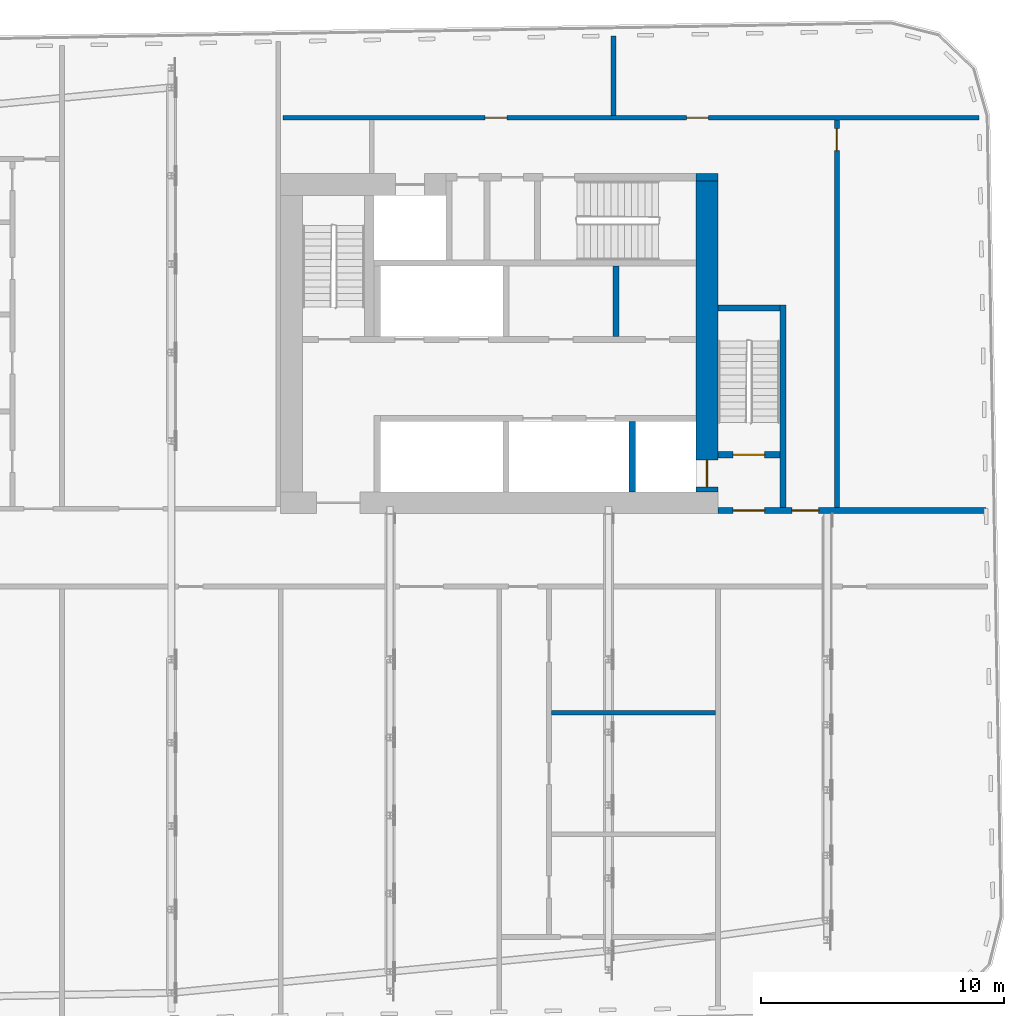
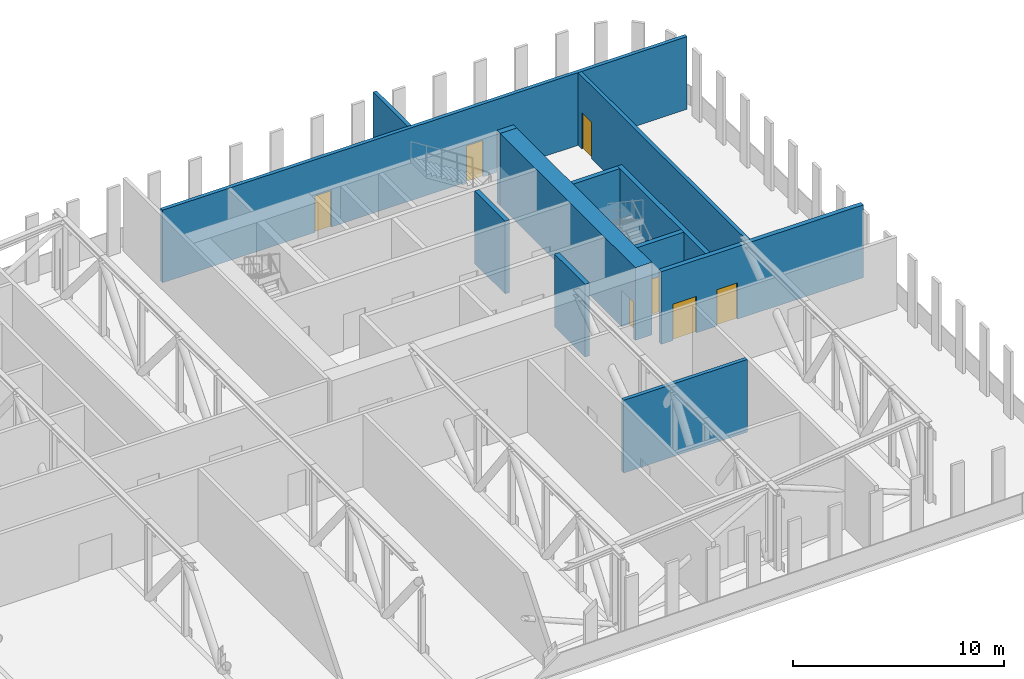
# One storey, part 13 of 26: 12 walls, 7 doors, 7 openings.
"""IFC4 building model written with IfcOpenShell, lengths in metres."""

from ifc_helpers import new_model, si_unit, direction, frame, frame_2d, origin, place, context, subcontext, project, spatial, rectangle, extrude, material, layer, layer_set, type_object, element, fill, save


model = new_model("IFC4")

# Units and contexts
model_context = context("Model", 3, precision=1e-05, world=origin(), true_north=direction((0.0, 1.0)))
body_context = subcontext(model_context, "Body", "Model", "MODEL_VIEW")
ifc_project = project(units=[si_unit("LENGTHUNIT", "METRE"), si_unit("AREAUNIT", "SQUARE_METRE"), si_unit("VOLUMEUNIT", "CUBIC_METRE"), si_unit("PLANEANGLEUNIT", "RADIAN"), si_unit("MASSUNIT", "GRAM", prefix="KILO")], contexts=[model_context])

# Site, building, storey
site_placement = place(None, origin())
site = spatial("IfcSite", under=ifc_project, at=site_placement, CompositionType="ELEMENT")
building_placement = place(site_placement, origin())
building = spatial("IfcBuilding", under=site, at=building_placement, Name="Kajstack Hotel Tower", CompositionType="ELEMENT")
storey_placement = place(building_placement, frame((0.0, 0.0, 257.300048828125)))
storey = spatial("IfcBuildingStorey", under=building, at=storey_placement, Name="L64", CompositionType="ELEMENT", Elevation=257.300048828125)

# Wall
ifc_material_1 = material(Name="Concrete C60/75", Category="concrete")
ifc_layer_1 = layer(ifc_material_1, 0.89990234375)
ifc_layer_set_1 = layer_set([ifc_layer_1], Name="Core wall 900")
wall_type_1 = type_object("IfcWallType", Name="Core wall 900", PredefinedType="SHEAR", material=ifc_layer_set_1)
wall_1_placement = place(storey_placement, frame((30.60009765625, 15.35009765625, 0.0), z_axis=(0.0, 0.0, 1.0), x_axis=(1.0, 0.0, 0.0)))
element("IfcWall", 1, at=wall_1_placement, inside=storey, type_object=wall_type_1, Name="Core wall E RSW", PredefinedType="SHEAR", context=body_context, shape_type="SweptSolid", body=[
    extrude(rectangle(XDim=0.89990234375, YDim=0.300048828125, at=frame_2d((0.449951171875, 0.0))), origin(), (0.0, 0.0, 1.0), 4.199951171875),
])

# Wall, opening, door
wall_2_placement = place(storey_placement, frame((31.050048828125, 2.39990234375, 0.0), z_axis=(0.0, 0.0, 1.0), x_axis=(0.0, 1.0, 0.0)))
wall_2 = element("IfcWall", 2, at=wall_2_placement, inside=storey, type_object=wall_type_1, Name="Core wall E RW", PredefinedType="SHEAR", context=body_context, shape_type="SweptSolid", body=[
    extrude(rectangle(XDim=12.800048828125, YDim=0.89990234375, at=frame_2d((6.39990234375, 0.0))), origin(), (0.0, 0.0, 1.0), 4.199951171875),
])
opening_1_placement = place(wall_2_placement, frame((0.199951171875, 0.0, 0.0)))
opening_1 = element("IfcOpeningElement", 3, at=opening_1_placement, cuts=wall_2, Name="Opening LD-FF2", PredefinedType="OPENING", context=body_context, shape_type="SweptSolid", body=[
    extrude(rectangle(XDim=1.10009765625, YDim=2.10009765625, at=frame_2d((0.550048828125, 1.050048828125))), frame((0.0, 0.4599609375, 0.0), z_axis=(0.0, -1.0, 0.0), x_axis=(1.0, 0.0, 0.0)), (0.0, 0.0, 1.0), 0.919921875),
])
ifc_material_2 = material(Name="Stainless steel", Category="steel")
door_type_1 = type_object("IfcDoorType", Name="Fire-fighting lift landing door 1100", OperationType="SLIDING_TO_LEFT", PredefinedType="DOOR", material=ifc_material_2)
door_1_placement = place(opening_1_placement, origin())
door_1 = element("IfcDoor", 4, at=door_1_placement, inside=storey, type_object=door_type_1, Name="Landing door FF2", OperationType="SLIDING_TO_LEFT", OverallHeight=2.10009765625, OverallWidth=1.10009765625, PredefinedType="DOOR", context=body_context, shape_type="SweptSolid", body=[
    extrude(rectangle(XDim=1.10009765625, YDim=2.10009765625, at=frame_2d((0.550048828125, 1.050048828125))), frame((0.0, 0.02490234375, 0.0), z_axis=(0.0, -1.0, 0.0), x_axis=(1.0, 0.0, 0.0)), (0.0, 0.0, 1.0), 0.050048828125),
])
fill(opening_1, door_1)

# Walls
ifc_material_3 = material(Name="Gypsum board on steel studs, mineral wool", Category="steel")
ifc_layer_2 = layer(ifc_material_3, 0.199951171875)
ifc_layer_set_2 = layer_set([ifc_layer_2], Name="Public partition 200")
wall_type_2 = type_object("IfcWallType", Name="Public partition 200", PredefinedType="PARTITIONING", material=ifc_layer_set_2)
wall_3_placement = place(storey_placement, frame((24.64990234375, -6.699951171875, 0.0), z_axis=(0.0, 0.0, 1.0), x_axis=(1.0, 0.0, 0.0)))
element("IfcWall", 5, at=wall_3_placement, inside=storey, type_object=wall_type_2, Name="Partition SC3wP0", PredefinedType="PARTITIONING", context=body_context, shape_type="SweptSolid", body=[
    extrude(rectangle(XDim=6.75, YDim=0.199951171875, at=frame_2d((3.375, 0.0))), origin(), (0.0, 0.0, 1.0), 4.199951171875),
])
ifc_material_4 = material(Name="Concrete block masonry", Category="masonry")
ifc_layer_3 = layer(ifc_material_4, 0.25)
ifc_layer_set_3 = layer_set([ifc_layer_3], Name="Riser partition 250")
wall_type_3 = type_object("IfcWallType", Name="Riser partition 250", PredefinedType="PARTITIONING", material=ifc_layer_set_3)
wall_4_placement = place(storey_placement, frame((27.300048828125, 8.800048828125, 0.0), z_axis=(0.0, 0.0, 1.0), x_axis=(0.0, 1.0, 0.0)))
element("IfcWall", 6, at=wall_4_placement, inside=storey, type_object=wall_type_3, Name="Partition E BF0", PredefinedType="PARTITIONING", context=body_context, shape_type="SweptSolid", body=[
    extrude(rectangle(XDim=2.89990234375, YDim=0.25, at=frame_2d((1.449951171875, 0.0))), origin(), (0.0, 0.0, 1.0), 4.199951171875),
])

# Wall, openings, doors
ifc_layer_4 = layer(ifc_material_3, 0.199951171875)
ifc_layer_set_4 = layer_set([ifc_layer_4], Name="Service partition 200")
wall_type_4 = type_object("IfcWallType", Name="Service partition 200", PredefinedType="PARTITIONING", material=ifc_layer_set_4)
wall_5_placement = place(storey_placement, frame((31.5, 1.625, 0.0), z_axis=(0.0, 0.0, 1.0), x_axis=(1.0, 0.0, 0.0)))
wall_5 = element("IfcWall", 7, at=wall_5_placement, inside=storey, type_object=wall_type_4, Name="Partition E SN", PredefinedType="PARTITIONING", context=body_context, shape_type="SweptSolid", body=[
    extrude(rectangle(XDim=11.039794921875, YDim=0.25, at=frame_2d((5.52001953125, 0.0))), origin(), (0.0, 0.0, 1.0), 4.199951171875),
])
opening_2_placement = place(wall_5_placement, frame((0.625, 0.0, 0.0)))
opening_2 = element("IfcOpeningElement", 8, at=opening_2_placement, cuts=wall_5, Name="Opening 64E08", PredefinedType="OPENING", context=body_context, shape_type="SweptSolid", body=[
    extrude(rectangle(XDim=1.300048828125, YDim=2.10009765625, at=frame_2d((0.64990234375, 1.050048828125))), frame((0.0, 0.135009765625, 0.0), z_axis=(0.0, -1.0, 0.0), x_axis=(1.0, 0.0, 0.0)), (0.0, 0.0, 1.0), 0.27001953125),
])
opening_3_placement = place(wall_5_placement, frame((3.050048828125, 0.0, 0.0)))
opening_3 = element("IfcOpeningElement", 9, at=opening_3_placement, cuts=wall_5, Name="Opening 64E10", PredefinedType="OPENING", context=body_context, shape_type="SweptSolid", body=[
    extrude(rectangle(XDim=1.10009765625, YDim=2.10009765625, at=frame_2d((0.550048828125, 1.050048828125))), frame((0.0, 0.135009765625, 0.0), z_axis=(0.0, -1.0, 0.0), x_axis=(1.0, 0.0, 0.0)), (0.0, 0.0, 1.0), 0.27001953125),
])
ifc_material_5 = material(Name="Steel leaf, fire-rated", Category="steel")
door_type_2 = type_object("IfcDoorType", Name="Fire lobby door 1300", OperationType="SINGLE_SWING_LEFT", PredefinedType="DOOR", material=ifc_material_5)
door_2_placement = place(opening_2_placement, origin())
door_2 = element("IfcDoor", 10, at=door_2_placement, inside=storey, type_object=door_type_2, Name="Door 64E08", OperationType="SINGLE_SWING_LEFT", OverallHeight=2.10009765625, OverallWidth=1.300048828125, PredefinedType="DOOR", context=body_context, shape_type="SweptSolid", body=[
    extrude(rectangle(XDim=1.300048828125, YDim=2.10009765625, at=frame_2d((0.64990234375, 1.050048828125))), frame((0.0, 0.02490234375, 0.0), z_axis=(0.0, -1.0, 0.0), x_axis=(1.0, 0.0, 0.0)), (0.0, 0.0, 1.0), 0.050048828125),
])
fill(opening_2, door_2)
ifc_material_6 = material(Name="Timber leaf, fire-rated", Category="wood")
door_type_3 = type_object("IfcDoorType", Name="Service corridor door 1100", OperationType="SINGLE_SWING_LEFT", PredefinedType="DOOR", material=ifc_material_6)
door_3_placement = place(opening_3_placement, origin())
door_3 = element("IfcDoor", 11, at=door_3_placement, inside=storey, type_object=door_type_3, Name="Door 64E10", OperationType="SINGLE_SWING_LEFT", OverallHeight=2.10009765625, OverallWidth=1.10009765625, PredefinedType="DOOR", context=body_context, shape_type="SweptSolid", body=[
    extrude(rectangle(XDim=1.10009765625, YDim=2.10009765625, at=frame_2d((0.550048828125, 1.050048828125))), frame((0.0, 0.02490234375, 0.0), z_axis=(0.0, -1.0, 0.0), x_axis=(1.0, 0.0, 0.0)), (0.0, 0.0, 1.0), 0.050048828125),
])
fill(opening_3, door_3)

# Wall, opening, door
wall_6_placement = place(storey_placement, frame((36.39990234375, 1.75, 0.0), z_axis=(0.0, 0.0, 1.0), x_axis=(0.0, 1.0, 0.0)))
wall_6 = element("IfcWall", 12, at=wall_6_placement, inside=storey, type_object=wall_type_4, Name="Partition E WRE", PredefinedType="PARTITIONING", context=body_context, shape_type="SweptSolid", body=[
    extrude(rectangle(XDim=15.949951171875, YDim=0.199951171875, at=frame_2d((7.97509765625, 0.0))), origin(), (0.0, 0.0, 1.0), 4.199951171875),
])
opening_4_placement = place(wall_6_placement, frame((14.699951171875, 0.0, 0.0)))
opening_4 = element("IfcOpeningElement", 13, at=opening_4_placement, cuts=wall_6, Name="Opening 64E19", PredefinedType="OPENING", context=body_context, shape_type="SweptSolid", body=[
    extrude(rectangle(XDim=0.89990234375, YDim=2.10009765625, at=frame_2d((0.449951171875, 1.050048828125))), frame((0.0, 0.10986328125, 0.0), z_axis=(0.0, -1.0, 0.0), x_axis=(1.0, 0.0, 0.0)), (0.0, 0.0, 1.0), 0.219970703125),
])
door_type_4 = type_object("IfcDoorType", Name="Service door 900", OperationType="SINGLE_SWING_LEFT", PredefinedType="DOOR", material=ifc_material_6)
door_4_placement = place(opening_4_placement, origin())
door_4 = element("IfcDoor", 14, at=door_4_placement, inside=storey, type_object=door_type_4, Name="Door 64E19", OperationType="SINGLE_SWING_RIGHT", OverallHeight=2.10009765625, OverallWidth=0.89990234375, PredefinedType="DOOR", context=body_context, shape_type="SweptSolid", body=[
    extrude(rectangle(XDim=0.89990234375, YDim=2.10009765625, at=frame_2d((0.449951171875, 1.050048828125))), frame((0.0, 0.02490234375, 0.0), z_axis=(0.0, -1.0, 0.0), x_axis=(1.0, 0.0, 0.0)), (0.0, 0.0, 1.0), 0.050048828125),
])
fill(opening_4, door_4)

# Wall, openings, doors
wall_7_placement = place(storey_placement, frame((13.60009765625, 17.800048828125, 0.0), z_axis=(0.0, 0.0, 1.0), x_axis=(1.0, 0.0, 0.0)))
wall_7 = element("IfcWall", 15, at=wall_7_placement, inside=storey, type_object=wall_type_4, Name="Partition E SLN", PredefinedType="PARTITIONING", context=body_context, shape_type="SweptSolid", body=[
    extrude(rectangle(XDim=28.657470703125, YDim=0.199951171875, at=frame_2d((14.32861328125, 0.0))), origin(), (0.0, 0.0, 1.0), 4.199951171875),
])
opening_5_placement = place(wall_7_placement, frame((16.612548828125, 0.0, 0.0)))
opening_5 = element("IfcOpeningElement", 16, at=opening_5_placement, cuts=wall_7, Name="Opening 64E17", PredefinedType="OPENING", context=body_context, shape_type="SweptSolid", body=[
    extrude(rectangle(XDim=0.89990234375, YDim=2.10009765625, at=frame_2d((0.449951171875, 1.050048828125))), frame((0.0, 0.10986328125, 0.0), z_axis=(0.0, -1.0, 0.0), x_axis=(1.0, 0.0, 0.0)), (0.0, 0.0, 1.0), 0.219970703125),
])
opening_6_placement = place(wall_7_placement, frame((8.3125, 0.0, 0.0)))
opening_6 = element("IfcOpeningElement", 17, at=opening_6_placement, cuts=wall_7, Name="Opening 64E18", PredefinedType="OPENING", context=body_context, shape_type="SweptSolid", body=[
    extrude(rectangle(XDim=0.89990234375, YDim=2.10009765625, at=frame_2d((0.449951171875, 1.050048828125))), frame((0.0, 0.10986328125, 0.0), z_axis=(0.0, -1.0, 0.0), x_axis=(1.0, 0.0, 0.0)), (0.0, 0.0, 1.0), 0.219970703125),
])
door_5_placement = place(opening_5_placement, origin())
door_5 = element("IfcDoor", 18, at=door_5_placement, inside=storey, type_object=door_type_4, Name="Door 64E17", OperationType="SINGLE_SWING_LEFT", OverallHeight=2.10009765625, OverallWidth=0.89990234375, PredefinedType="DOOR", context=body_context, shape_type="SweptSolid", body=[
    extrude(rectangle(XDim=0.89990234375, YDim=2.10009765625, at=frame_2d((0.449951171875, 1.050048828125))), frame((0.0, 0.02490234375, 0.0), z_axis=(0.0, -1.0, 0.0), x_axis=(1.0, 0.0, 0.0)), (0.0, 0.0, 1.0), 0.050048828125),
])
fill(opening_5, door_5)
door_6_placement = place(opening_6_placement, origin())
door_6 = element("IfcDoor", 19, at=door_6_placement, inside=storey, type_object=door_type_4, Name="Door 64E18", OperationType="SINGLE_SWING_LEFT", OverallHeight=2.10009765625, OverallWidth=0.89990234375, PredefinedType="DOOR", context=body_context, shape_type="SweptSolid", body=[
    extrude(rectangle(XDim=0.89990234375, YDim=2.10009765625, at=frame_2d((0.449951171875, 1.050048828125))), frame((0.0, 0.02490234375, 0.0), z_axis=(0.0, -1.0, 0.0), x_axis=(1.0, 0.0, 0.0)), (0.0, 0.0, 1.0), 0.050048828125),
])
fill(opening_6, door_6)

# Walls
wall_8_placement = place(storey_placement, frame((27.199951171875, 17.89990234375, 0.0), z_axis=(0.0, 0.0, 1.0), x_axis=(0.0, 1.0, 0.0)))
element("IfcWall", 20, at=wall_8_placement, inside=storey, type_object=wall_type_4, Name="Partition E SLP0", PredefinedType="PARTITIONING", context=body_context, shape_type="SweptSolid", body=[
    extrude(rectangle(XDim=3.27587890625, YDim=0.199951171875, at=frame_2d((1.637939453125, 0.0))), origin(), (0.0, 0.0, 1.0), 4.199951171875),
])
ifc_material_7 = material(Name="Concrete C50/60", Category="concrete")
ifc_layer_5 = layer(ifc_material_7, 0.25)
ifc_layer_set_5 = layer_set([ifc_layer_5], Name="Shaft wall 250")
wall_type_5 = type_object("IfcWallType", Name="Shaft wall 250", PredefinedType="SHEAR", material=ifc_layer_set_5)
wall_9_placement = place(storey_placement, frame((27.97509765625, 2.39990234375, 0.0), z_axis=(0.0, 0.0, 1.0), x_axis=(0.0, 1.0, 0.0)))
element("IfcWall", 21, at=wall_9_placement, inside=storey, type_object=wall_type_5, Name="Core wall E AP0", PredefinedType="SHEAR", context=body_context, shape_type="SweptSolid", body=[
    extrude(rectangle(XDim=2.900146484375, YDim=0.25, at=frame_2d((1.4501953125, 0.0))), origin(), (0.0, 0.0, 1.0), 4.199951171875),
])

# Wall, opening, door
ifc_material_8 = material(Name="Concrete C40/50", Category="concrete")
ifc_layer_6 = layer(ifc_material_8, 0.25)
ifc_layer_set_6 = layer_set([ifc_layer_6], Name="Stair enclosure wall 250")
wall_type_6 = type_object("IfcWallType", Name="Stair enclosure wall 250", PredefinedType="SHEAR", material=ifc_layer_set_6)
wall_10_placement = place(storey_placement, frame((31.5, 3.925048828125, 0.0), z_axis=(0.0, 0.0, 1.0), x_axis=(1.0, 0.0, 0.0)))
wall_10 = element("IfcWall", 22, at=wall_10_placement, inside=storey, type_object=wall_type_6, Name="Core wall E W1N", PredefinedType="SHEAR", context=body_context, shape_type="SweptSolid", body=[
    extrude(rectangle(XDim=2.550048828125, YDim=0.25, at=frame_2d((1.27490234375, 0.0))), origin(), (0.0, 0.0, 1.0), 4.199951171875),
])
opening_7_placement = place(wall_10_placement, frame((0.625, 0.0, 0.0)))
opening_7 = element("IfcOpeningElement", 23, at=opening_7_placement, cuts=wall_10, Name="Opening 64E09", PredefinedType="OPENING", context=body_context, shape_type="SweptSolid", body=[
    extrude(rectangle(XDim=1.300048828125, YDim=2.10009765625, at=frame_2d((0.64990234375, 1.050048828125))), frame((0.0, 0.135009765625, 0.0), z_axis=(0.0, -1.0, 0.0), x_axis=(1.0, 0.0, 0.0)), (0.0, 0.0, 1.0), 0.27001953125),
])
door_type_5 = type_object("IfcDoorType", Name="Stair door 1300", OperationType="SINGLE_SWING_LEFT", PredefinedType="DOOR", material=ifc_material_5)
door_7_placement = place(opening_7_placement, origin())
door_7 = element("IfcDoor", 24, at=door_7_placement, inside=storey, type_object=door_type_5, Name="Door 64E09", OperationType="SINGLE_SWING_LEFT", OverallHeight=2.10009765625, OverallWidth=1.300048828125, PredefinedType="DOOR", context=body_context, shape_type="SweptSolid", body=[
    extrude(rectangle(XDim=1.300048828125, YDim=2.10009765625, at=frame_2d((0.64990234375, 1.050048828125))), frame((0.0, 0.02490234375, 0.0), z_axis=(0.0, -1.0, 0.0), x_axis=(1.0, 0.0, 0.0)), (0.0, 0.0, 1.0), 0.050048828125),
])
fill(opening_7, door_7)

# Walls
wall_11_placement = place(storey_placement, frame((34.175048828125, 1.75, 0.0), z_axis=(0.0, 0.0, 1.0), x_axis=(0.0, 1.0, 0.0)))
element("IfcWall", 25, at=wall_11_placement, inside=storey, type_object=wall_type_6, Name="Core wall E W1W", PredefinedType="SHEAR", context=body_context, shape_type="SweptSolid", body=[
    extrude(rectangle(XDim=8.35009765625, YDim=0.25, at=frame_2d((4.175048828125, 0.0))), origin(), (0.0, 0.0, 1.0), 4.199951171875),
])
wall_12_placement = place(storey_placement, frame((31.5, 9.97509765625, 0.0), z_axis=(0.0, 0.0, 1.0), x_axis=(1.0, 0.0, 0.0)))
element("IfcWall", 26, at=wall_12_placement, inside=storey, type_object=wall_type_6, Name="Core wall E W1S", PredefinedType="SHEAR", context=body_context, shape_type="SweptSolid", body=[
    extrude(rectangle(XDim=2.550048828125, YDim=0.25, at=frame_2d((1.27490234375, 0.0))), origin(), (0.0, 0.0, 1.0), 4.199951171875),
])

save(model, "model.ifc")
